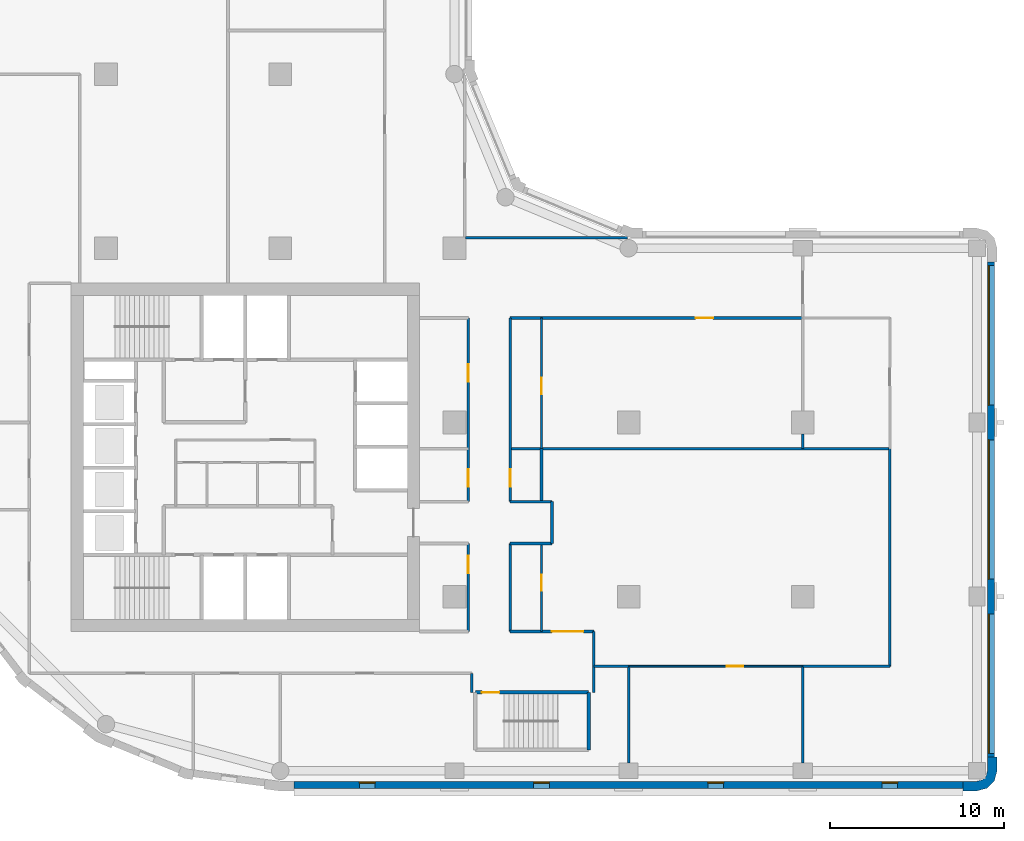
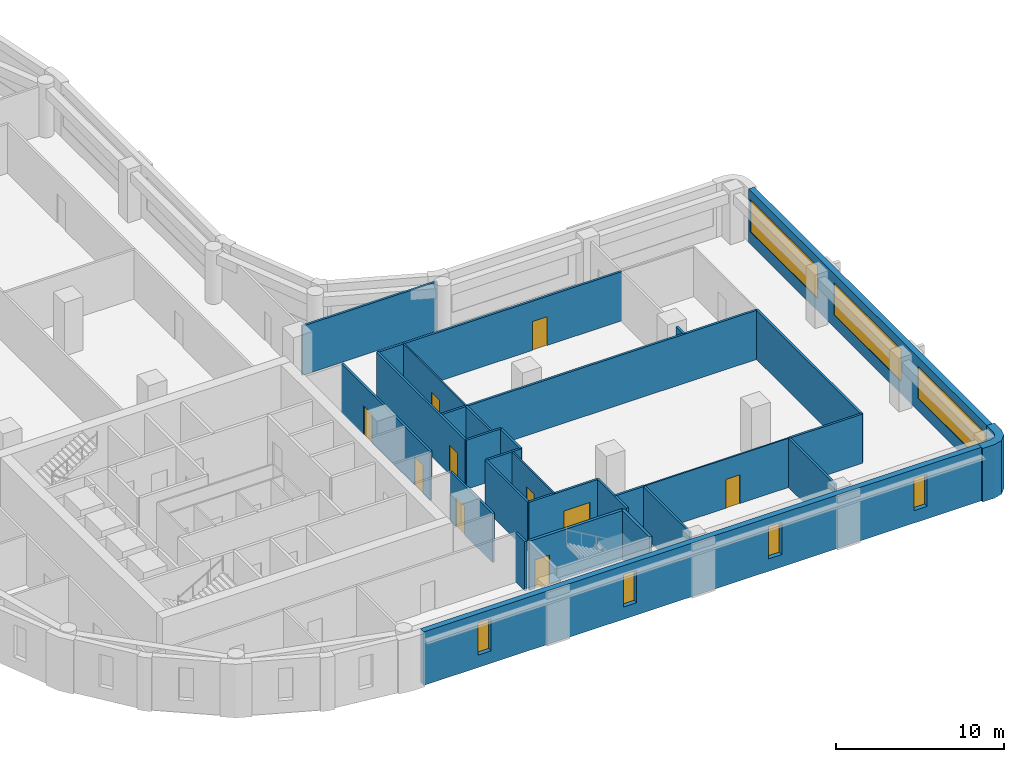
# One storey, part 4 of 9: 28 walls, 10 doors, 7 windows, 17 openings.
"""IFC4 building model written with IfcOpenShell, lengths in metres."""

from ifc_helpers import new_model, si_unit, direction, frame, frame_2d, origin, place, context, subcontext, project, spatial, polyline, rectangle, outline, extrude, material, layer, layer_set, type_object, element, fill, save


model = new_model("IFC4")

# Units and contexts
model_context = context("Model", 3, precision=1e-05, world=origin(), true_north=direction((0.0, 1.0)))
body_context = subcontext(model_context, "Body", "Model", "MODEL_VIEW")
ifc_project = project(units=[si_unit("LENGTHUNIT", "METRE"), si_unit("AREAUNIT", "SQUARE_METRE"), si_unit("VOLUMEUNIT", "CUBIC_METRE"), si_unit("PLANEANGLEUNIT", "RADIAN"), si_unit("MASSUNIT", "GRAM", prefix="KILO")], contexts=[model_context])

# Site, building, storey
site_placement = place(None, origin())
site = spatial("IfcSite", under=ifc_project, at=site_placement, CompositionType="ELEMENT")
building_placement = place(site_placement, origin())
building = spatial("IfcBuilding", under=site, at=building_placement, Name="Qaws Garden Tower", CompositionType="ELEMENT")
storey_placement = place(building_placement, frame((0.0, 0.0, 166.800048828125)))
storey = spatial("IfcBuildingStorey", under=building, at=storey_placement, Name="L40", CompositionType="ELEMENT", Elevation=166.800048828125)

# Wall
ifc_material_1 = material(Name="Buff clay facing brick masonry", Category="masonry")
ifc_layer_1 = layer(ifc_material_1, 0.550048828125)
ifc_layer_set_1 = layer_set([ifc_layer_1], Name="Buff clay facing brick masonry")
wall_type_1 = type_object("IfcWallType", Name="Buff brick corner pier 550 x 2400", PredefinedType="SOLIDWALL", material=ifc_layer_set_1)
wall_1_placement = place(storey_placement, origin())
element("IfcWall", 1, at=wall_1_placement, inside=storey, type_object=wall_type_1, Name="E-L40-pier-04", PredefinedType="SOLIDWALL", context=body_context, shape_type="SweptSolid", body=[
    extrude(outline(polyline([(59.199951171875, -1.0), (59.199951171875, -1.14990234375), (60.0, -1.14990234375), (60.574951171875, -0.995849609375), (60.995849609375, -0.574951171875), (61.14990234375, 0.0), (61.14990234375, 0.800048828125), (61.0, 0.800048828125), (60.60009765625, 0.800048828125), (60.60009765625, 0.0), (60.51953125, -0.300048828125), (60.300048828125, -0.51953125), (60.0, -0.60009765625), (59.199951171875, -0.60009765625), (59.199951171875, -1.0)])), origin(), (0.0, 0.0, 1.0), 3.89990234375),
])

# Wall, openings, windows
ifc_material_2 = material(Name="Buff clay facing brick masonry", Category="masonry")
ifc_layer_2 = layer(ifc_material_2, 0.39990234375)
ifc_layer_set_2 = layer_set([ifc_layer_2], Name="Buff clay facing brick masonry")
wall_type_2 = type_object("IfcWallType", Name="Buff brick infill wall 400", PredefinedType="SOLIDWALL", material=ifc_layer_set_2)
wall_2_placement = place(storey_placement, frame((20.800048828125, -0.800048828125, 0.0), z_axis=(0.0, 0.0, 1.0), x_axis=(1.0, 0.0, 0.0)))
wall_2 = element("IfcWall", 2, at=wall_2_placement, inside=storey, type_object=wall_type_2, Name="E-L40-infill-00", PredefinedType="SOLIDWALL", context=body_context, shape_type="SweptSolid", body=[
    extrude(rectangle(XDim=38.39990234375, YDim=0.39990234375, at=frame_2d((19.199951171875, 0.0))), origin(), (0.0, 0.0, 1.0), 3.89990234375),
])
opening_1_placement = place(wall_2_placement, frame((3.75, 0.0, 0.89990234375)))
opening_1 = element("IfcOpeningElement", 3, at=opening_1_placement, cuts=wall_2, Name="Opening W09", PredefinedType="OPENING", context=body_context, shape_type="SweptSolid", body=[
    extrude(rectangle(XDim=0.89990234375, YDim=2.35009765625, at=frame_2d((0.449951171875, 1.175048828125))), frame((0.0, 0.2099609375, 0.0), z_axis=(0.0, -1.0, 0.0), x_axis=(1.0, 0.0, 0.0)), (0.0, 0.0, 1.0), 0.419921875),
])
opening_2_placement = place(wall_2_placement, frame((13.75, 0.0, 0.89990234375)))
opening_2 = element("IfcOpeningElement", 4, at=opening_2_placement, cuts=wall_2, Name="Opening W09", PredefinedType="OPENING", context=body_context, shape_type="SweptSolid", body=[
    extrude(rectangle(XDim=0.89990234375, YDim=2.35009765625, at=frame_2d((0.449951171875, 1.175048828125))), frame((0.0, 0.2099609375, 0.0), z_axis=(0.0, -1.0, 0.0), x_axis=(1.0, 0.0, 0.0)), (0.0, 0.0, 1.0), 0.419921875),
])
opening_3_placement = place(wall_2_placement, frame((23.75, 0.0, 0.89990234375)))
opening_3 = element("IfcOpeningElement", 5, at=opening_3_placement, cuts=wall_2, Name="Opening W09", PredefinedType="OPENING", context=body_context, shape_type="SweptSolid", body=[
    extrude(rectangle(XDim=0.89990234375, YDim=2.35009765625, at=frame_2d((0.449951171875, 1.175048828125))), frame((0.0, 0.2099609375, 0.0), z_axis=(0.0, -1.0, 0.0), x_axis=(1.0, 0.0, 0.0)), (0.0, 0.0, 1.0), 0.419921875),
])
opening_4_placement = place(wall_2_placement, frame((33.75, 0.0, 0.89990234375)))
opening_4 = element("IfcOpeningElement", 6, at=opening_4_placement, cuts=wall_2, Name="Opening W09", PredefinedType="OPENING", context=body_context, shape_type="SweptSolid", body=[
    extrude(rectangle(XDim=0.89990234375, YDim=2.35009765625, at=frame_2d((0.449951171875, 1.175048828125))), frame((0.0, 0.2099609375, 0.0), z_axis=(0.0, -1.0, 0.0), x_axis=(1.0, 0.0, 0.0)), (0.0, 0.0, 1.0), 0.419921875),
])
ifc_material_3 = material(Name="Aluminium framed window, clear glazing", Category="aluminium")
window_type_1 = type_object("IfcWindowType", Name="Slit window 900 x 2350", PartitioningType="SINGLE_PANEL", PredefinedType="WINDOW", material=ifc_material_3)
window_1_placement = place(opening_1_placement, origin())
window_1 = element("IfcWindow", 7, at=window_1_placement, inside=storey, type_object=window_type_1, Name="E-L40-window-00-0", OverallHeight=2.35009765625, OverallWidth=0.89990234375, PartitioningType="SINGLE_PANEL", PredefinedType="WINDOW", context=body_context, shape_type="SweptSolid", body=[
    extrude(rectangle(XDim=0.89990234375, YDim=2.35009765625, at=frame_2d((0.449951171875, 1.175048828125))), frame((0.0, 0.159912109375, 0.0), z_axis=(0.0, -1.0, 0.0), x_axis=(1.0, 0.0, 0.0)), (0.0, 0.0, 1.0), 0.06005859375),
])
fill(opening_1, window_1)
window_2_placement = place(opening_2_placement, origin())
window_2 = element("IfcWindow", 8, at=window_2_placement, inside=storey, type_object=window_type_1, Name="E-L40-window-01-0", OverallHeight=2.35009765625, OverallWidth=0.89990234375, PartitioningType="SINGLE_PANEL", PredefinedType="WINDOW", context=body_context, shape_type="SweptSolid", body=[
    extrude(rectangle(XDim=0.89990234375, YDim=2.35009765625, at=frame_2d((0.449951171875, 1.175048828125))), frame((0.0, 0.159912109375, 0.0), z_axis=(0.0, -1.0, 0.0), x_axis=(1.0, 0.0, 0.0)), (0.0, 0.0, 1.0), 0.06005859375),
])
fill(opening_2, window_2)
window_3_placement = place(opening_3_placement, origin())
window_3 = element("IfcWindow", 9, at=window_3_placement, inside=storey, type_object=window_type_1, Name="E-L40-window-02-0", OverallHeight=2.35009765625, OverallWidth=0.89990234375, PartitioningType="SINGLE_PANEL", PredefinedType="WINDOW", context=body_context, shape_type="SweptSolid", body=[
    extrude(rectangle(XDim=0.89990234375, YDim=2.35009765625, at=frame_2d((0.449951171875, 1.175048828125))), frame((0.0, 0.159912109375, 0.0), z_axis=(0.0, -1.0, 0.0), x_axis=(1.0, 0.0, 0.0)), (0.0, 0.0, 1.0), 0.06005859375),
])
fill(opening_3, window_3)
window_4_placement = place(opening_4_placement, origin())
window_4 = element("IfcWindow", 10, at=window_4_placement, inside=storey, type_object=window_type_1, Name="E-L40-window-03-0", OverallHeight=2.35009765625, OverallWidth=0.89990234375, PartitioningType="SINGLE_PANEL", PredefinedType="WINDOW", context=body_context, shape_type="SweptSolid", body=[
    extrude(rectangle(XDim=0.89990234375, YDim=2.35009765625, at=frame_2d((0.449951171875, 1.175048828125))), frame((0.0, 0.159912109375, 0.0), z_axis=(0.0, -1.0, 0.0), x_axis=(1.0, 0.0, 0.0)), (0.0, 0.0, 1.0), 0.06005859375),
])
fill(opening_4, window_4)

wall_3_placement = place(storey_placement, frame((60.800048828125, 0.800048828125, 0.0), z_axis=(0.0, 0.0, 1.0), x_axis=(0.0, 1.0, 0.0)))
wall_3 = element("IfcWall", 11, at=wall_3_placement, inside=storey, type_object=wall_type_2, Name="E-L40-infill-04", PredefinedType="SOLIDWALL", context=body_context, shape_type="SweptSolid", body=[
    extrude(rectangle(XDim=28.39990234375, YDim=0.39990234375, at=frame_2d((14.199951171875, 0.0))), origin(), (0.0, 0.0, 1.0), 3.89990234375),
])
opening_5_placement = place(wall_3_placement, frame((0.199951171875, 0.0, 0.89990234375)))
opening_5 = element("IfcOpeningElement", 12, at=opening_5_placement, cuts=wall_3, Name="Opening W01", PredefinedType="OPENING", context=body_context, shape_type="SweptSolid", body=[
    extrude(rectangle(XDim=8.0, YDim=2.35009765625, at=frame_2d((4.0, 1.175048828125))), frame((0.0, 0.2099609375, 0.0), z_axis=(0.0, -1.0, 0.0), x_axis=(1.0, 0.0, 0.0)), (0.0, 0.0, 1.0), 0.419921875),
])
opening_6_placement = place(wall_3_placement, frame((10.199951171875, 0.0, 0.89990234375)))
opening_6 = element("IfcOpeningElement", 13, at=opening_6_placement, cuts=wall_3, Name="Opening W01", PredefinedType="OPENING", context=body_context, shape_type="SweptSolid", body=[
    extrude(rectangle(XDim=8.0, YDim=2.35009765625, at=frame_2d((4.0, 1.175048828125))), frame((0.0, 0.2099609375, 0.0), z_axis=(0.0, -1.0, 0.0), x_axis=(1.0, 0.0, 0.0)), (0.0, 0.0, 1.0), 0.419921875),
])
opening_7_placement = place(wall_3_placement, frame((20.199951171875, 0.0, 0.89990234375)))
opening_7 = element("IfcOpeningElement", 14, at=opening_7_placement, cuts=wall_3, Name="Opening W01", PredefinedType="OPENING", context=body_context, shape_type="SweptSolid", body=[
    extrude(rectangle(XDim=8.0, YDim=2.35009765625, at=frame_2d((4.0, 1.175048828125))), frame((0.0, 0.2099609375, 0.0), z_axis=(0.0, -1.0, 0.0), x_axis=(1.0, 0.0, 0.0)), (0.0, 0.0, 1.0), 0.419921875),
])
ifc_material_4 = material(Name="Aluminium framed window, clear glazing", Category="aluminium")
window_type_2 = type_object("IfcWindowType", Name="Ribbon window 8000 x 2350", PartitioningType="DOUBLE_PANEL_VERTICAL", PredefinedType="WINDOW", material=ifc_material_4)
window_5_placement = place(opening_5_placement, origin())
window_5 = element("IfcWindow", 15, at=window_5_placement, inside=storey, type_object=window_type_2, Name="E-L40-window-04-0", OverallHeight=2.35009765625, OverallWidth=8.0, PartitioningType="SINGLE_PANEL", PredefinedType="WINDOW", context=body_context, shape_type="SweptSolid", body=[
    extrude(rectangle(XDim=8.0, YDim=2.35009765625, at=frame_2d((4.0, 1.175048828125))), frame((0.0, 0.159912109375, 0.0), z_axis=(0.0, -1.0, 0.0), x_axis=(1.0, 0.0, 0.0)), (0.0, 0.0, 1.0), 0.06005859375),
])
fill(opening_5, window_5)
window_6_placement = place(opening_6_placement, origin())
window_6 = element("IfcWindow", 16, at=window_6_placement, inside=storey, type_object=window_type_2, Name="E-L40-window-05-0", OverallHeight=2.35009765625, OverallWidth=8.0, PartitioningType="SINGLE_PANEL", PredefinedType="WINDOW", context=body_context, shape_type="SweptSolid", body=[
    extrude(rectangle(XDim=8.0, YDim=2.35009765625, at=frame_2d((4.0, 1.175048828125))), frame((0.0, 0.159912109375, 0.0), z_axis=(0.0, -1.0, 0.0), x_axis=(1.0, 0.0, 0.0)), (0.0, 0.0, 1.0), 0.06005859375),
])
fill(opening_6, window_6)
window_7_placement = place(opening_7_placement, origin())
window_7 = element("IfcWindow", 17, at=window_7_placement, inside=storey, type_object=window_type_2, Name="E-L40-window-06-0", OverallHeight=2.35009765625, OverallWidth=8.0, PartitioningType="SINGLE_PANEL", PredefinedType="WINDOW", context=body_context, shape_type="SweptSolid", body=[
    extrude(rectangle(XDim=8.0, YDim=2.35009765625, at=frame_2d((4.0, 1.175048828125))), frame((0.0, 0.159912109375, 0.0), z_axis=(0.0, -1.0, 0.0), x_axis=(1.0, 0.0, 0.0)), (0.0, 0.0, 1.0), 0.06005859375),
])
fill(opening_7, window_7)

# Wall, opening, door
ifc_material_5 = material(Name="Concrete C70", Category="concrete")
ifc_layer_3 = layer(ifc_material_5, 0.199951171875)
ifc_layer_set_3 = layer_set([ifc_layer_3], Name="Concrete C70")
wall_type_3 = type_object("IfcWallType", Name="Core shaft wall 200 C70", PredefinedType="SHEAR", material=ifc_layer_set_3)
wall_4_placement = place(storey_placement, frame((31.199951171875, 4.5, 0.0), z_axis=(0.0, 0.0, 1.0), x_axis=(1.0, 0.0, 0.0)))
wall_4 = element("IfcWall", 18, at=wall_4_placement, inside=storey, type_object=wall_type_3, Name="Shaft wall", PredefinedType="SHEAR", context=body_context, shape_type="SweptSolid", body=[
    extrude(rectangle(XDim=6.5, YDim=0.199951171875, at=frame_2d((3.25, 0.0))), origin(), (0.0, 0.0, 1.0), 3.579833984375),
])
opening_8_placement = place(wall_4_placement, frame((0.375, 0.0, 0.0)))
opening_8 = element("IfcOpeningElement", 19, at=opening_8_placement, cuts=wall_4, Name="Opening SD12", PredefinedType="OPENING", context=body_context, shape_type="SweptSolid", body=[
    extrude(rectangle(XDim=1.0, YDim=2.10009765625, at=frame_2d((0.5, 1.050048828125))), frame((0.0, 0.10986328125, 0.0), z_axis=(0.0, -1.0, 0.0), x_axis=(1.0, 0.0, 0.0)), (0.0, 0.0, 1.0), 0.219970703125),
])
ifc_material_6 = material(Name="Steel S235", Category="steel")
door_type_1 = type_object("IfcDoorType", Name="Stair door 1000x2100", OperationType="SINGLE_SWING_RIGHT", PredefinedType="DOOR", material=ifc_material_6)
door_1_placement = place(opening_8_placement, frame((1.0, 0.0, 0.0), z_axis=(0.0, 0.0, 1.0), x_axis=(-1.0, 0.0, 0.0)))
door_1 = element("IfcDoor", 20, at=door_1_placement, inside=storey, type_object=door_type_1, Name="Stair 5 door", OperationType="SINGLE_SWING_RIGHT", OverallHeight=2.10009765625, OverallWidth=1.0, PredefinedType="DOOR", context=body_context, shape_type="SweptSolid", body=[
    extrude(rectangle(XDim=1.0, YDim=2.10009765625, at=frame_2d((0.5, 1.050048828125))), frame((0.0, 0.02490234375, 0.0), z_axis=(0.0, -1.0, 0.0), x_axis=(1.0, 0.0, 0.0)), (0.0, 0.0, 1.0), 0.050048828125),
])
fill(opening_8, door_1)

# Wall
wall_5_placement = place(storey_placement, frame((37.699951171875, 1.199951171875, 0.0), z_axis=(0.0, 0.0, 1.0), x_axis=(0.0, 1.0, 0.0)))
element("IfcWall", 21, at=wall_5_placement, inside=storey, type_object=wall_type_3, Name="Shaft wall", PredefinedType="SHEAR", context=body_context, shape_type="SweptSolid", body=[
    extrude(rectangle(XDim=3.300048828125, YDim=0.199951171875, at=frame_2d((1.64990234375, 0.0))), origin(), (0.0, 0.0, 1.0), 3.579833984375),
])

# Wall, opening, door
ifc_material_7 = material(Name="Gypsum board partition")
ifc_layer_4 = layer(ifc_material_7, 0.10009765625)
ifc_layer_set_4 = layer_set([ifc_layer_4], Name="Gypsum board partition")
wall_type_4 = type_object("IfcWallType", Name="PARTITION 100", PredefinedType="PARTITIONING", material=ifc_layer_set_4)
wall_6_placement = place(storey_placement, frame((35.0, 8.0, 0.0), z_axis=(0.0, 0.0, 1.0), x_axis=(0.0, 1.0, 0.0)))
wall_6 = element("IfcWall", 22, at=wall_6_placement, inside=storey, type_object=wall_type_4, Name="O-L40-wall-001", PredefinedType="PARTITIONING", context=body_context, shape_type="SweptSolid", body=[
    extrude(rectangle(XDim=5.050048828125, YDim=0.10009765625, at=frame_2d((2.52490234375, 0.0))), origin(), (0.0, 0.0, 1.0), 3.579833984375),
])
opening_9_placement = place(wall_6_placement, frame((2.35009765625, 0.0, 0.0)))
opening_9 = element("IfcOpeningElement", 23, at=opening_9_placement, cuts=wall_6, Name="Opening B419", PredefinedType="OPENING", context=body_context, shape_type="SweptSolid", body=[
    extrude(rectangle(XDim=0.89990234375, YDim=2.10009765625, at=frame_2d((0.449951171875, 1.050048828125))), frame((0.0, 0.06005859375, 0.0), z_axis=(0.0, -1.0, 0.0), x_axis=(1.0, 0.0, 0.0)), (0.0, 0.0, 1.0), 0.1201171875),
])
ifc_material_8 = material(Name="Timber door leaf", Category="wood")
door_type_2 = type_object("IfcDoorType", Name="OFFICE DOOR 900 X 2100", OperationType="SINGLE_SWING_LEFT", PredefinedType="DOOR", material=ifc_material_8)
door_2_placement = place(opening_9_placement, origin())
door_2 = element("IfcDoor", 24, at=door_2_placement, inside=storey, type_object=door_type_2, Name="O-L40-door-019", OperationType="SINGLE_SWING_RIGHT", OverallHeight=2.10009765625, OverallWidth=0.89990234375, PredefinedType="DOOR", context=body_context, shape_type="SweptSolid", body=[
    extrude(rectangle(XDim=0.89990234375, YDim=2.10009765625, at=frame_2d((0.449951171875, 1.050048828125))), frame((0.0, 0.02490234375, 0.0), z_axis=(0.0, -1.0, 0.0), x_axis=(1.0, 0.0, 0.0)), (0.0, 0.0, 1.0), 0.050048828125),
])
fill(opening_9, door_2)

wall_7_placement = place(storey_placement, frame((35.0, 18.5, 0.0), z_axis=(0.0, 0.0, 1.0), x_axis=(0.0, 1.0, 0.0)))
wall_7 = element("IfcWall", 25, at=wall_7_placement, inside=storey, type_object=wall_type_4, Name="O-L40-wall-002", PredefinedType="PARTITIONING", context=body_context, shape_type="SweptSolid", body=[
    extrude(rectangle(XDim=7.5, YDim=0.10009765625, at=frame_2d((3.75, 0.0))), origin(), (0.0, 0.0, 1.0), 3.579833984375),
])
opening_10_placement = place(wall_7_placement, frame((3.125, 0.0, 0.0)))
opening_10 = element("IfcOpeningElement", 26, at=opening_10_placement, cuts=wall_7, Name="Opening B421", PredefinedType="OPENING", context=body_context, shape_type="SweptSolid", body=[
    extrude(rectangle(XDim=0.949951171875, YDim=2.10009765625, at=frame_2d((0.47509765625, 1.050048828125))), frame((0.0, 0.06005859375, 0.0), z_axis=(0.0, -1.0, 0.0), x_axis=(1.0, 0.0, 0.0)), (0.0, 0.0, 1.0), 0.1201171875),
])
ifc_material_9 = material(Name="Timber and glass door leaf", Category="wood")
door_type_3 = type_object("IfcDoorType", Name="GLAZED DOOR 950 X 2100", OperationType="SINGLE_SWING_LEFT", PredefinedType="DOOR", material=ifc_material_9)
door_3_placement = place(opening_10_placement, origin())
door_3 = element("IfcDoor", 27, at=door_3_placement, inside=storey, type_object=door_type_3, Name="O-L40-door-021", OperationType="SINGLE_SWING_RIGHT", OverallHeight=2.10009765625, OverallWidth=0.949951171875, PredefinedType="DOOR", context=body_context, shape_type="SweptSolid", body=[
    extrude(rectangle(XDim=0.949951171875, YDim=2.10009765625, at=frame_2d((0.47509765625, 1.050048828125))), frame((0.0, 0.02490234375, 0.0), z_axis=(0.0, -1.0, 0.0), x_axis=(1.0, 0.0, 0.0)), (0.0, 0.0, 1.0), 0.050048828125),
])
fill(opening_10, door_3)

wall_8_placement = place(storey_placement, frame((40.0, 6.0, 0.0), z_axis=(0.0, 0.0, 1.0), x_axis=(1.0, 0.0, 0.0)))
wall_8 = element("IfcWall", 28, at=wall_8_placement, inside=storey, type_object=wall_type_4, Name="O-L40-wall-004", PredefinedType="PARTITIONING", context=body_context, shape_type="SweptSolid", body=[
    extrude(rectangle(XDim=10.0, YDim=0.10009765625, at=frame_2d((5.0, 0.0))), origin(), (0.0, 0.0, 1.0), 3.579833984375),
])
opening_11_placement = place(wall_8_placement, frame((5.625, 0.0, 0.0)))
opening_11 = element("IfcOpeningElement", 29, at=opening_11_placement, cuts=wall_8, Name="Opening B420", PredefinedType="OPENING", context=body_context, shape_type="SweptSolid", body=[
    extrude(rectangle(XDim=0.949951171875, YDim=2.10009765625, at=frame_2d((0.47509765625, 1.050048828125))), frame((0.0, 0.06005859375, 0.0), z_axis=(0.0, -1.0, 0.0), x_axis=(1.0, 0.0, 0.0)), (0.0, 0.0, 1.0), 0.1201171875),
])
door_4_placement = place(opening_11_placement, frame((0.949951171875, 0.0, 0.0), z_axis=(0.0, 0.0, 1.0), x_axis=(-1.0, 0.0, 0.0)))
door_4 = element("IfcDoor", 30, at=door_4_placement, inside=storey, type_object=door_type_3, Name="O-L40-door-020", OperationType="SINGLE_SWING_RIGHT", OverallHeight=2.10009765625, OverallWidth=0.949951171875, PredefinedType="DOOR", context=body_context, shape_type="SweptSolid", body=[
    extrude(rectangle(XDim=0.949951171875, YDim=2.10009765625, at=frame_2d((0.47509765625, 1.050048828125))), frame((0.0, 0.02490234375, 0.0), z_axis=(0.0, -1.0, 0.0), x_axis=(1.0, 0.0, 0.0)), (0.0, 0.0, 1.0), 0.050048828125),
])
fill(opening_11, door_4)

ifc_material_10 = material(Name="Gypsum board partition")
ifc_layer_5 = layer(ifc_material_10, 0.14990234375)
ifc_layer_set_5 = layer_set([ifc_layer_5], Name="Gypsum board partition")
wall_type_5 = type_object("IfcWallType", Name="PARTITION 150 EI 60", PredefinedType="PARTITIONING", material=ifc_layer_set_5)
wall_9_placement = place(storey_placement, frame((30.800048828125, 8.0, 0.0), z_axis=(0.0, 0.0, 1.0), x_axis=(0.0, 1.0, 0.0)))
wall_9 = element("IfcWall", 31, at=wall_9_placement, inside=storey, type_object=wall_type_5, Name="O-L40-wall-016", PredefinedType="PARTITIONING", context=body_context, shape_type="SweptSolid", body=[
    extrude(rectangle(XDim=5.050048828125, YDim=0.14990234375, at=frame_2d((2.52490234375, 0.0))), origin(), (0.0, 0.0, 1.0), 3.579833984375),
])
opening_12_placement = place(wall_9_placement, frame((3.35009765625, 0.0, 0.0)))
opening_12 = element("IfcOpeningElement", 32, at=opening_12_placement, cuts=wall_9, Name="Opening B418", PredefinedType="OPENING", context=body_context, shape_type="SweptSolid", body=[
    extrude(rectangle(XDim=1.0, YDim=2.10009765625, at=frame_2d((0.5, 1.050048828125))), frame((0.0, 0.0849609375, 0.0), z_axis=(0.0, -1.0, 0.0), x_axis=(1.0, 0.0, 0.0)), (0.0, 0.0, 1.0), 0.169921875),
])
ifc_material_11 = material(Name="Timber door leaf", Category="wood")
door_type_4 = type_object("IfcDoorType", Name="TENANCY ENTRANCE DOOR 1000 X 2100", OperationType="SINGLE_SWING_LEFT", PredefinedType="DOOR", material=ifc_material_11)
door_5_placement = place(opening_12_placement, origin())
door_5 = element("IfcDoor", 33, at=door_5_placement, inside=storey, type_object=door_type_4, Name="O-L40-door-018", OperationType="SINGLE_SWING_RIGHT", OverallHeight=2.10009765625, OverallWidth=1.0, PredefinedType="DOOR", context=body_context, shape_type="SweptSolid", body=[
    extrude(rectangle(XDim=1.0, YDim=2.10009765625, at=frame_2d((0.5, 1.050048828125))), frame((0.0, 0.02490234375, 0.0), z_axis=(0.0, -1.0, 0.0), x_axis=(1.0, 0.0, 0.0)), (0.0, 0.0, 1.0), 0.050048828125),
])
fill(opening_12, door_5)

# Wall, openings, doors
wall_10_placement = place(storey_placement, frame((30.800048828125, 15.449951171875, 0.0), z_axis=(0.0, 0.0, 1.0), x_axis=(0.0, 1.0, 0.0)))
wall_10 = element("IfcWall", 34, at=wall_10_placement, inside=storey, type_object=wall_type_5, Name="O-L40-wall-017", PredefinedType="PARTITIONING", context=body_context, shape_type="SweptSolid", body=[
    extrude(rectangle(XDim=10.550048828125, YDim=0.14990234375, at=frame_2d((5.27490234375, 0.0))), origin(), (0.0, 0.0, 1.0), 3.579833984375),
])
opening_13_placement = place(wall_10_placement, frame((0.85009765625, 0.0, 0.0)))
opening_13 = element("IfcOpeningElement", 35, at=opening_13_placement, cuts=wall_10, Name="Opening B404", PredefinedType="OPENING", context=body_context, shape_type="SweptSolid", body=[
    extrude(rectangle(XDim=1.0, YDim=2.10009765625, at=frame_2d((0.5, 1.050048828125))), frame((0.0, 0.0849609375, 0.0), z_axis=(0.0, -1.0, 0.0), x_axis=(1.0, 0.0, 0.0)), (0.0, 0.0, 1.0), 0.169921875),
])
opening_14_placement = place(wall_10_placement, frame((6.89990234375, 0.0, 0.0)))
opening_14 = element("IfcOpeningElement", 36, at=opening_14_placement, cuts=wall_10, Name="Opening B416", PredefinedType="OPENING", context=body_context, shape_type="SweptSolid", body=[
    extrude(rectangle(XDim=1.0, YDim=2.10009765625, at=frame_2d((0.5, 1.050048828125))), frame((0.0, 0.0849609375, 0.0), z_axis=(0.0, -1.0, 0.0), x_axis=(1.0, 0.0, 0.0)), (0.0, 0.0, 1.0), 0.169921875),
])
door_6_placement = place(opening_13_placement, origin())
door_6 = element("IfcDoor", 37, at=door_6_placement, inside=storey, type_object=door_type_4, Name="O-L40-door-004", OperationType="SINGLE_SWING_LEFT", OverallHeight=2.10009765625, OverallWidth=1.0, PredefinedType="DOOR", context=body_context, shape_type="SweptSolid", body=[
    extrude(rectangle(XDim=1.0, YDim=2.10009765625, at=frame_2d((0.5, 1.050048828125))), frame((0.0, 0.02490234375, 0.0), z_axis=(0.0, -1.0, 0.0), x_axis=(1.0, 0.0, 0.0)), (0.0, 0.0, 1.0), 0.050048828125),
])
fill(opening_13, door_6)
door_7_placement = place(opening_14_placement, origin())
door_7 = element("IfcDoor", 38, at=door_7_placement, inside=storey, type_object=door_type_4, Name="O-L40-door-016", OperationType="SINGLE_SWING_RIGHT", OverallHeight=2.10009765625, OverallWidth=1.0, PredefinedType="DOOR", context=body_context, shape_type="SweptSolid", body=[
    extrude(rectangle(XDim=1.0, YDim=2.10009765625, at=frame_2d((0.5, 1.050048828125))), frame((0.0, 0.02490234375, 0.0), z_axis=(0.0, -1.0, 0.0), x_axis=(1.0, 0.0, 0.0)), (0.0, 0.0, 1.0), 0.050048828125),
])
fill(opening_14, door_7)

# Walls
wall_11_placement = place(storey_placement, frame((31.0, 4.5, 0.0), z_axis=(0.0, 0.0, 1.0), x_axis=(0.0, 1.0, 0.0)))
element("IfcWall", 39, at=wall_11_placement, inside=storey, type_object=wall_type_5, Name="O-L40-wall-018", PredefinedType="PARTITIONING", context=body_context, shape_type="SweptSolid", body=[
    extrude(rectangle(XDim=1.10009765625, YDim=0.14990234375, at=frame_2d((0.550048828125, 0.0))), origin(), (0.0, 0.0, 1.0), 3.579833984375),
])
wall_12_placement = place(storey_placement, frame((33.199951171875, 8.0, 0.0), z_axis=(0.0, 0.0, 1.0), x_axis=(0.0, 1.0, 0.0)))
element("IfcWall", 40, at=wall_12_placement, inside=storey, type_object=wall_type_5, Name="O-L40-wall-019", PredefinedType="PARTITIONING", context=body_context, shape_type="SweptSolid", body=[
    extrude(rectangle(XDim=5.050048828125, YDim=0.14990234375, at=frame_2d((2.52490234375, 0.0))), origin(), (0.0, 0.0, 1.0), 3.579833984375),
])

# Wall, opening, door
wall_13_placement = place(storey_placement, frame((33.199951171875, 15.449951171875, 0.0), z_axis=(0.0, 0.0, 1.0), x_axis=(0.0, 1.0, 0.0)))
wall_13 = element("IfcWall", 41, at=wall_13_placement, inside=storey, type_object=wall_type_5, Name="O-L40-wall-020", PredefinedType="PARTITIONING", context=body_context, shape_type="SweptSolid", body=[
    extrude(rectangle(XDim=10.550048828125, YDim=0.14990234375, at=frame_2d((5.27490234375, 0.0))), origin(), (0.0, 0.0, 1.0), 3.579833984375),
])
opening_15_placement = place(wall_13_placement, frame((0.85009765625, 0.0, 0.0)))
opening_15 = element("IfcOpeningElement", 42, at=opening_15_placement, cuts=wall_13, Name="Opening B403", PredefinedType="OPENING", context=body_context, shape_type="SweptSolid", body=[
    extrude(rectangle(XDim=1.0, YDim=2.10009765625, at=frame_2d((0.5, 1.050048828125))), frame((0.0, 0.0849609375, 0.0), z_axis=(0.0, -1.0, 0.0), x_axis=(1.0, 0.0, 0.0)), (0.0, 0.0, 1.0), 0.169921875),
])
door_8_placement = place(opening_15_placement, frame((1.0, 0.0, 0.0), z_axis=(0.0, 0.0, 1.0), x_axis=(-1.0, 0.0, 0.0)))
door_8 = element("IfcDoor", 43, at=door_8_placement, inside=storey, type_object=door_type_4, Name="O-L40-door-003", OperationType="SINGLE_SWING_RIGHT", OverallHeight=2.10009765625, OverallWidth=1.0, PredefinedType="DOOR", context=body_context, shape_type="SweptSolid", body=[
    extrude(rectangle(XDim=1.0, YDim=2.10009765625, at=frame_2d((0.5, 1.050048828125))), frame((0.0, 0.02490234375, 0.0), z_axis=(0.0, -1.0, 0.0), x_axis=(1.0, 0.0, 0.0)), (0.0, 0.0, 1.0), 0.050048828125),
])
fill(opening_15, door_8)

# Walls
wall_14_placement = place(storey_placement, frame((35.0, 15.449951171875, 0.0), z_axis=(0.0, 0.0, 1.0), x_axis=(0.0, 1.0, 0.0)))
element("IfcWall", 44, at=wall_14_placement, inside=storey, type_object=wall_type_5, Name="O-L40-wall-021", PredefinedType="PARTITIONING", context=body_context, shape_type="SweptSolid", body=[
    extrude(rectangle(XDim=3.050048828125, YDim=0.14990234375, at=frame_2d((1.52490234375, 0.0))), origin(), (0.0, 0.0, 1.0), 3.579833984375),
])
wall_15_placement = place(storey_placement, frame((35.60009765625, 13.050048828125, 0.0), z_axis=(0.0, 0.0, 1.0), x_axis=(0.0, 1.0, 0.0)))
element("IfcWall", 45, at=wall_15_placement, inside=storey, type_object=wall_type_5, Name="O-L40-wall-022", PredefinedType="PARTITIONING", context=body_context, shape_type="SweptSolid", body=[
    extrude(rectangle(XDim=2.39990234375, YDim=0.14990234375, at=frame_2d((1.199951171875, 0.0))), origin(), (0.0, 0.0, 1.0), 3.579833984375),
])
wall_16_placement = place(storey_placement, frame((38.0, 4.5, 0.0), z_axis=(0.0, 0.0, 1.0), x_axis=(0.0, 1.0, 0.0)))
element("IfcWall", 46, at=wall_16_placement, inside=storey, type_object=wall_type_5, Name="O-L40-wall-023", PredefinedType="PARTITIONING", context=body_context, shape_type="SweptSolid", body=[
    extrude(rectangle(XDim=3.5, YDim=0.14990234375, at=frame_2d((1.75, 0.0))), origin(), (0.0, 0.0, 1.0), 3.579833984375),
])
for number, where, z_axis, x_axis, name in (
    (47, (40.0, 0.449951171875, 0.0), (0.0, 0.0, 1.0), (0.0, 1.0, 0.0), "O-L40-wall-024"),
    (48, (50.0, 0.449951171875, 0.0), (0.0, 0.0, 1.0), (0.0, 1.0, 0.0), "O-L40-wall-025"),
):
    element("IfcWall", number, at=place(storey_placement, frame(where, z_axis=z_axis, x_axis=x_axis)), inside=storey, type_object=wall_type_5, Name=name, PredefinedType="PARTITIONING", context=body_context, shape_type="SweptSolid", body=[
        extrude(rectangle(XDim=5.550048828125, YDim=0.14990234375, at=frame_2d((2.77490234375, 0.0))), origin(), (0.0, 0.0, 1.0), 3.579833984375),
    ])
wall_17_placement = place(storey_placement, frame((50.0, 18.5, 0.0), z_axis=(0.0, 0.0, 1.0), x_axis=(0.0, 1.0, 0.0)))
element("IfcWall", 49, at=wall_17_placement, inside=storey, type_object=wall_type_5, Name="O-L40-wall-026", PredefinedType="PARTITIONING", context=body_context, shape_type="SweptSolid", body=[
    extrude(rectangle(XDim=0.85009765625, YDim=0.14990234375, at=frame_2d((0.425048828125, 0.0))), origin(), (0.0, 0.0, 1.0), 3.579833984375),
])
wall_18_placement = place(storey_placement, frame((55.0, 6.0, 0.0), z_axis=(0.0, 0.0, 1.0), x_axis=(0.0, 1.0, 0.0)))
element("IfcWall", 50, at=wall_18_placement, inside=storey, type_object=wall_type_5, Name="O-L40-wall-028", PredefinedType="PARTITIONING", context=body_context, shape_type="SweptSolid", body=[
    extrude(rectangle(XDim=12.5, YDim=0.14990234375, at=frame_2d((6.25, 0.0))), origin(), (0.0, 0.0, 1.0), 3.579833984375),
])
wall_19_placement = place(storey_placement, frame((38.0, 6.0, 0.0), z_axis=(0.0, 0.0, 1.0), x_axis=(1.0, 0.0, 0.0)))
element("IfcWall", 51, at=wall_19_placement, inside=storey, type_object=wall_type_5, Name="O-L40-wall-030", PredefinedType="PARTITIONING", context=body_context, shape_type="SweptSolid", body=[
    extrude(rectangle(XDim=2.0, YDim=0.14990234375, at=frame_2d((1.0, 0.0))), origin(), (0.0, 0.0, 1.0), 3.579833984375),
])
wall_20_placement = place(storey_placement, frame((50.0, 6.0, 0.0), z_axis=(0.0, 0.0, 1.0), x_axis=(1.0, 0.0, 0.0)))
element("IfcWall", 52, at=wall_20_placement, inside=storey, type_object=wall_type_5, Name="O-L40-wall-031", PredefinedType="PARTITIONING", context=body_context, shape_type="SweptSolid", body=[
    extrude(rectangle(XDim=5.0, YDim=0.14990234375, at=frame_2d((2.5, 0.0))), origin(), (0.0, 0.0, 1.0), 3.579833984375),
])

# Wall, opening, door
wall_21_placement = place(storey_placement, frame((33.199951171875, 8.0, 0.0), z_axis=(0.0, 0.0, 1.0), x_axis=(1.0, 0.0, 0.0)))
wall_21 = element("IfcWall", 53, at=wall_21_placement, inside=storey, type_object=wall_type_5, Name="O-L40-wall-033", PredefinedType="PARTITIONING", context=body_context, shape_type="SweptSolid", body=[
    extrude(rectangle(XDim=4.800048828125, YDim=0.14990234375, at=frame_2d((2.39990234375, 0.0))), origin(), (0.0, 0.0, 1.0), 3.579833984375),
])
opening_16_placement = place(wall_21_placement, frame((2.39990234375, 0.0, 0.0)))
opening_16 = element("IfcOpeningElement", 54, at=opening_16_placement, cuts=wall_21, Name="Opening B405", PredefinedType="OPENING", context=body_context, shape_type="SweptSolid", body=[
    extrude(rectangle(XDim=1.800048828125, YDim=2.10009765625, at=frame_2d((0.89990234375, 1.050048828125))), frame((0.0, 0.0849609375, 0.0), z_axis=(0.0, -1.0, 0.0), x_axis=(1.0, 0.0, 0.0)), (0.0, 0.0, 1.0), 0.169921875),
])
ifc_material_12 = material(Name="Timber door leaf", Category="wood")
door_type_5 = type_object("IfcDoorType", Name="DOUBLE DOOR 1800 X 2100", OperationType="DOUBLE_DOOR_SINGLE_SWING", PredefinedType="DOOR", material=ifc_material_12)
door_9_placement = place(opening_16_placement, origin())
door_9 = element("IfcDoor", 55, at=door_9_placement, inside=storey, type_object=door_type_5, Name="O-L40-door-005", OperationType="DOUBLE_DOOR_SINGLE_SWING", OverallHeight=2.10009765625, OverallWidth=1.800048828125, PredefinedType="DOOR", context=body_context, shape_type="SweptSolid", body=[
    extrude(rectangle(XDim=1.800048828125, YDim=2.10009765625, at=frame_2d((0.89990234375, 1.050048828125))), frame((0.0, 0.02490234375, 0.0), z_axis=(0.0, -1.0, 0.0), x_axis=(1.0, 0.0, 0.0)), (0.0, 0.0, 1.0), 0.050048828125),
])
fill(opening_16, door_9)

# Walls
for number, where, z_axis, x_axis, name in (
    (56, (33.199951171875, 13.050048828125, 0.0), (0.0, 0.0, 1.0), (1.0, 0.0, 0.0), "O-L40-wall-035"),
    (57, (33.199951171875, 15.449951171875, 0.0), (0.0, 0.0, 1.0), (1.0, 0.0, 0.0), "O-L40-wall-038"),
):
    element("IfcWall", number, at=place(storey_placement, frame(where, z_axis=z_axis, x_axis=x_axis)), inside=storey, type_object=wall_type_5, Name=name, PredefinedType="PARTITIONING", context=body_context, shape_type="SweptSolid", body=[
        extrude(rectangle(XDim=2.400146484375, YDim=0.14990234375, at=frame_2d((1.2001953125, 0.0))), origin(), (0.0, 0.0, 1.0), 3.579833984375),
    ])
wall_22_placement = place(storey_placement, frame((33.199951171875, 18.5, 0.0), z_axis=(0.0, 0.0, 1.0), x_axis=(1.0, 0.0, 0.0)))
element("IfcWall", 58, at=wall_22_placement, inside=storey, type_object=wall_type_5, Name="O-L40-wall-040", PredefinedType="PARTITIONING", context=body_context, shape_type="SweptSolid", body=[
    extrude(rectangle(XDim=21.800048828125, YDim=0.14990234375, at=frame_2d((10.89990234375, 0.0))), origin(), (0.0, 0.0, 1.0), 3.579833984375),
])

# Wall, opening, door
wall_23_placement = place(storey_placement, frame((33.199951171875, 26.0, 0.0), z_axis=(0.0, 0.0, 1.0), x_axis=(1.0, 0.0, 0.0)))
wall_23 = element("IfcWall", 59, at=wall_23_placement, inside=storey, type_object=wall_type_5, Name="O-L40-wall-043", PredefinedType="PARTITIONING", context=body_context, shape_type="SweptSolid", body=[
    extrude(rectangle(XDim=16.800048828125, YDim=0.14990234375, at=frame_2d((8.39990234375, 0.0))), origin(), (0.0, 0.0, 1.0), 3.579833984375),
])
opening_17_placement = place(wall_23_placement, frame((10.64990234375, 0.0, 0.0)))
opening_17 = element("IfcOpeningElement", 60, at=opening_17_placement, cuts=wall_23, Name="Opening B417", PredefinedType="OPENING", context=body_context, shape_type="SweptSolid", body=[
    extrude(rectangle(XDim=1.0, YDim=2.10009765625, at=frame_2d((0.5, 1.050048828125))), frame((0.0, 0.0849609375, 0.0), z_axis=(0.0, -1.0, 0.0), x_axis=(1.0, 0.0, 0.0)), (0.0, 0.0, 1.0), 0.169921875),
])
door_10_placement = place(opening_17_placement, frame((1.0, 0.0, 0.0), z_axis=(0.0, 0.0, 1.0), x_axis=(-1.0, 0.0, 0.0)))
door_10 = element("IfcDoor", 61, at=door_10_placement, inside=storey, type_object=door_type_4, Name="O-L40-door-017", OperationType="SINGLE_SWING_RIGHT", OverallHeight=2.10009765625, OverallWidth=1.0, PredefinedType="DOOR", context=body_context, shape_type="SweptSolid", body=[
    extrude(rectangle(XDim=1.0, YDim=2.10009765625, at=frame_2d((0.5, 1.050048828125))), frame((0.0, 0.02490234375, 0.0), z_axis=(0.0, -1.0, 0.0), x_axis=(1.0, 0.0, 0.0)), (0.0, 0.0, 1.0), 0.050048828125),
])
fill(opening_17, door_10)

# Wall
wall_24_placement = place(storey_placement, frame((30.64990234375, 30.60009765625, 0.0), z_axis=(0.0, 0.0, 1.0), x_axis=(1.0, 0.0, 0.0)))
element("IfcWall", 62, at=wall_24_placement, inside=storey, type_object=wall_type_5, Name="O-L40-wall-045", PredefinedType="PARTITIONING", context=body_context, shape_type="SweptSolid", body=[
    extrude(rectangle(XDim=9.288330078125, YDim=0.14990234375, at=frame_2d((4.64404296875, 0.0))), origin(), (0.0, 0.0, 1.0), 3.579833984375),
])

save(model, "model.ifc")
